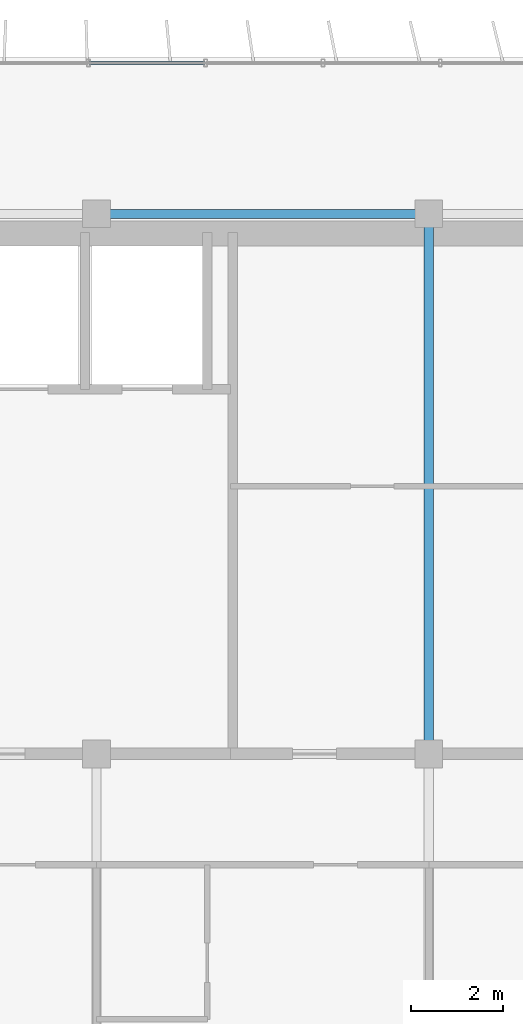
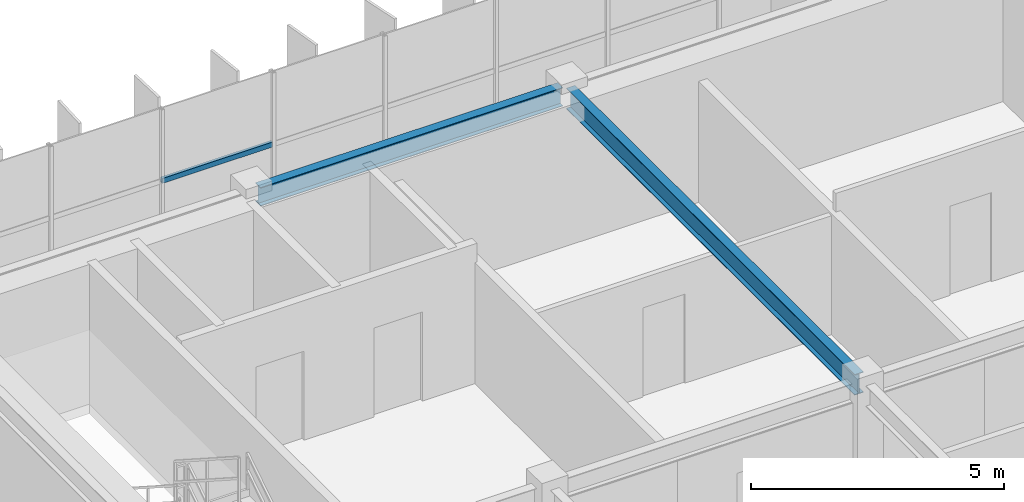
# One storey, part 7 of 22: 2 beams, 1 member, 1 element without a shape of its own.
"""IFC4 building model written with IfcOpenShell, lengths in metres."""

from ifc_helpers import new_model, si_unit, direction, frame, origin, origin_2d, place, context, subcontext, project, spatial, hollow_rectangle, i_section, extrude, source, transform, mapped, material, material_profile, profile_set, type_object, element, aggregate, save


model = new_model("IFC4")

# Units and contexts
model_context = context("Model", 3, precision=1e-05, world=origin(), true_north=direction((0.0, 1.0)))
body_context = subcontext(model_context, "Body", "Model", "MODEL_VIEW")
ifc_project = project(units=[si_unit("LENGTHUNIT", "METRE"), si_unit("AREAUNIT", "SQUARE_METRE"), si_unit("VOLUMEUNIT", "CUBIC_METRE"), si_unit("PLANEANGLEUNIT", "RADIAN"), si_unit("MASSUNIT", "GRAM", prefix="KILO")], contexts=[model_context])

# Site, building, storey
site_placement = place(None, origin())
site = spatial("IfcSite", under=ifc_project, at=site_placement, CompositionType="ELEMENT")
building_placement = place(site_placement, origin())
building = spatial("IfcBuilding", under=site, at=building_placement, Name="Trelvane Seafront Commons", CompositionType="ELEMENT")
storey_placement = place(building_placement, frame((0.0, 0.0, 277.5)))
storey = spatial("IfcBuildingStorey", under=building, at=storey_placement, Name="L72", CompositionType="ELEMENT", Elevation=277.5)

# Beams
ifc_material_1 = material(Name="Steel SM355 (S355)", Category="steel")
ifc_material_profile_1 = material_profile(ifc_material_1, i_section(OverallWidth=0.199951171875, OverallDepth=0.5, WebThickness=0.010009765625, FlangeThickness=0.01611328125, at=origin_2d()), Name="H-500x200x10x16")
ifc_profile_set_1 = profile_set([ifc_material_profile_1], Name="Steel SM355 (S355)")
beam_type_1 = type_object("IfcBeamType", Name="STR-BM-H500", PredefinedType="BEAM", material=ifc_profile_set_1)
shared_shape_1 = source(origin(), body_context, "Body", "SweptSolid", [
    extrude(i_section(OverallWidth=0.199951171875, OverallDepth=0.5, WebThickness=0.010009765625, FlangeThickness=0.01611328125, at=origin_2d()), origin(), (0.0, 0.0, 1.0), 11.39990234375),
])
beam_1_placement = place(storey_placement, frame((30.60009765625, 33.550048828125, 3.1201171875), z_axis=(0.0, 1.0, 0.0), x_axis=(-1.0, 0.0, 0.0)))
element("IfcBeam", 1, at=beam_1_placement, inside=storey, type_object=beam_type_1, Name="L72 Primary Girder G-40", PredefinedType="BEAM", context=body_context, shape_type="MappedRepresentation", body=[
    mapped(shared_shape_1, transform((0.0, 0.0, 0.0), x_axis=(1.0, 0.0, 0.0), y_axis=(0.0, 1.0, 0.0), z_axis=(0.0, 0.0, 1.0), scale=1.0)),
])
ifc_material_profile_2 = material_profile(ifc_material_1, i_section(OverallWidth=0.199951171875, OverallDepth=0.449951171875, WebThickness=0.009033203125, FlangeThickness=0.013916015625, at=origin_2d()), Name="H-450x200x9x14")
ifc_profile_set_2 = profile_set([ifc_material_profile_2], Name="Steel SM355 (S355)")
beam_type_2 = type_object("IfcBeamType", Name="STR-SPD-H450", PredefinedType="SPANDREL", material=ifc_profile_set_2)
shared_shape_2 = source(origin(), body_context, "Body", "SweptSolid", [
    extrude(i_section(OverallWidth=0.199951171875, OverallDepth=0.449951171875, WebThickness=0.009033203125, FlangeThickness=0.013916015625, at=origin_2d()), origin(), (0.0, 0.0, 1.0), 6.89990234375),
])
beam_2_placement = place(storey_placement, frame((23.550048828125, 45.10009765625, 3.14501953125), z_axis=(1.0, 0.0, 0.0), x_axis=(0.0, 1.0, 0.0)))
element("IfcBeam", 2, at=beam_2_placement, inside=storey, type_object=beam_type_2, Name="L72 Primary Girder G-24", PredefinedType="SPANDREL", context=body_context, shape_type="MappedRepresentation", body=[
    mapped(shared_shape_2, transform((0.0, 0.0, 0.0), x_axis=(1.0, 0.0, 0.0), y_axis=(0.0, 1.0, 0.0), z_axis=(0.0, 0.0, 1.0), scale=1.0)),
])

# Curtain wall, member
ifc_material_2 = material(Name="Anodised pale-silver aluminium", Category="aluminium")
curtain_wall_type = type_object("IfcCurtainWallType", Name="ARCH-CW5-UPTOWER", PredefinedType="NOTDEFINED", material=ifc_material_2)
curtain_wall_placement = place(storey_placement, origin())
curtain_wall = element("IfcCurtainWall", 3, at=curtain_wall_placement, inside=storey, type_object=curtain_wall_type, Name="CW-L72-0116", PredefinedType="NOTDEFINED")
ifc_material_profile_3 = material_profile(ifc_material_2, hollow_rectangle(XDim=0.070068359375, YDim=0.1201171875, WallThickness=0.00390625, at=origin_2d()), Name="TRAN-70x120x4")
ifc_profile_set_3 = profile_set([ifc_material_profile_3], Name="Anodised pale-silver aluminium")
member_type = type_object("IfcMemberType", Name="ARCH-CW-TRAN-120", PredefinedType="USERDEFINED", material=ifc_profile_set_3)
shared_shape_3 = source(origin(), body_context, "Body", "SweptSolid", [
    extrude(hollow_rectangle(XDim=0.070068359375, YDim=0.1201171875, WallThickness=0.00390625, at=origin_2d()), origin(), (0.0, 0.0, 1.0), 2.51708984375),
])
member_placement = place(storey_placement, frame((23.235595703125, 48.3701171875, 1.617919921875), z_axis=(1.0, 0.0, 0.0), x_axis=(0.0, 1.0, 0.0)))
member = element("IfcMember", 4, at=member_placement, type_object=member_type, Name="CW-L72-0116-T03", ObjectType="TRANSOM", PredefinedType="USERDEFINED", context=body_context, shape_type="MappedRepresentation", body=[
    mapped(shared_shape_3, transform((0.0, 0.0, 0.0), x_axis=(1.0, 0.0, 0.0), y_axis=(0.0, 1.0, 0.0), z_axis=(0.0, 0.0, 1.0), scale=1.0)),
])
aggregate(curtain_wall, [member])

save(model, "model.ifc")
